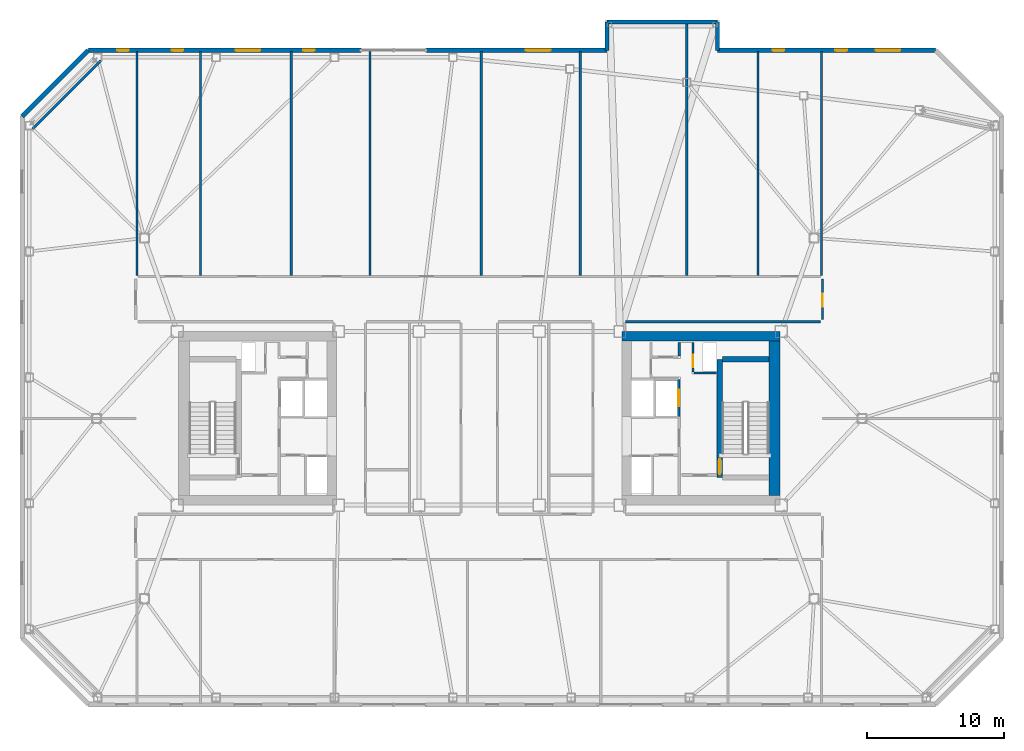
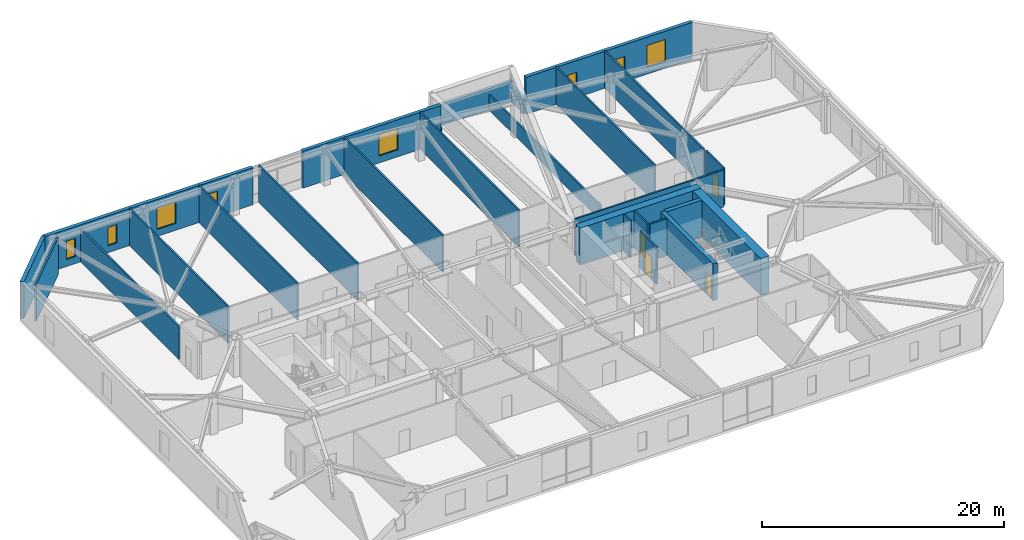
# One storey, part 13 of 18: 27 walls, 8 windows, 4 doors, 12 openings.
"""IFC4 building model written with IfcOpenShell, lengths in metres."""

from ifc_helpers import new_model, si_unit, direction, frame, frame_2d, origin, place, context, subcontext, project, spatial, rectangle, extrude, material, layer, layer_set, type_object, element, fill, save


model = new_model("IFC4")

# Units and contexts
model_context = context("Model", 3, precision=1e-05, world=origin(), true_north=direction((0.0, 1.0)))
body_context = subcontext(model_context, "Body", "Model", "MODEL_VIEW")
ifc_project = project(units=[si_unit("LENGTHUNIT", "METRE"), si_unit("AREAUNIT", "SQUARE_METRE"), si_unit("VOLUMEUNIT", "CUBIC_METRE"), si_unit("PLANEANGLEUNIT", "RADIAN"), si_unit("MASSUNIT", "GRAM", prefix="KILO")], contexts=[model_context])

# Site, building, storey
site_placement = place(None, origin())
site = spatial("IfcSite", under=ifc_project, at=site_placement, CompositionType="ELEMENT")
building_placement = place(site_placement, origin())
building = spatial("IfcBuilding", under=site, at=building_placement, Name="Tavrogorsk Clinical Tower", CompositionType="ELEMENT")
storey_placement = place(building_placement, frame((0.0, 0.0, 180.199951171875)))
storey = spatial("IfcBuildingStorey", under=building, at=storey_placement, Name="L41", CompositionType="ELEMENT", Elevation=180.199951171875)

# Walls
ifc_material_1 = material(Name="Lightweight concrete blockwork B15", Category="masonry")
ifc_layer_1 = layer(ifc_material_1, 0.159912109375)
ifc_layer_set_1 = layer_set([ifc_layer_1], Name="Lightweight concrete blockwork B15")
wall_type_1 = type_object("IfcWallType", Name="PartitionWall_160", PredefinedType="PARTITIONING", material=ifc_layer_set_1)
wall_1_placement = place(storey_placement, frame((14.639892578125, 4.56494140625, 0.0), z_axis=(0.0, 0.0, 1.0), x_axis=(0.0, 1.0, 0.0)))
element("IfcWall", 1, at=wall_1_placement, inside=storey, type_object=wall_type_1, Name="L41 Core East Housekeeping East Wall", PredefinedType="PARTITIONING", context=body_context, shape_type="SweptSolid", body=[
    extrude(rectangle(XDim=0.9951171875, YDim=0.159912109375, at=frame_2d((0.49755859375, 0.0))), origin(), (0.0, 0.0, 1.0), 3.739990234375),
])
wall_2_placement = place(storey_placement, frame((-27.6796875, 26.1796875, 0.0), z_axis=(0.0, 0.0, 1.0), x_axis=(-0.707106781187, -0.707106781187, 0.0)))
element("IfcWall", 2, at=wall_2_placement, inside=storey, type_object=wall_type_1, Name="L41 Corner Exoskeleton Brace Furring Wall 3", PredefinedType="PARTITIONING", context=body_context, shape_type="SweptSolid", body=[
    extrude(rectangle(XDim=7.071044921875, YDim=0.159912109375, at=frame_2d((3.53564453125, 0.0))), origin(), (0.0, 0.0, 1.0), 3.739990234375),
])

# Wall, opening, door
wall_3_placement = place(storey_placement, frame((25.1298828125, 10.215087890625, 0.0), z_axis=(0.0, 0.0, 1.0), x_axis=(0.0, -1.0, 0.0)))
wall_3 = element("IfcWall", 3, at=wall_3_placement, inside=storey, type_object=wall_type_1, Name="L41 Corridor Partition 08", PredefinedType="PARTITIONING", context=body_context, shape_type="SweptSolid", body=[
    extrude(rectangle(XDim=2.97998046875, YDim=0.159912109375, at=frame_2d((1.489990234375, 0.0))), origin(), (0.0, 0.0, 1.0), 3.739990234375),
])
opening_1_placement = place(wall_3_placement, frame((1.10009765625, 0.0, 0.0)))
opening_1 = element("IfcOpeningElement", 4, at=opening_1_placement, cuts=wall_3, Name="Opening ID-02", PredefinedType="OPENING", context=body_context, shape_type="SweptSolid", body=[
    extrude(rectangle(XDim=0.949951171875, YDim=2.199951171875, at=frame_2d((0.47509765625, 1.10009765625))), frame((0.0, 0.08984375, 0.0), z_axis=(0.0, -1.0, 0.0), x_axis=(1.0, 0.0, 0.0)), (0.0, 0.0, 1.0), 0.179931640625),
])
ifc_material_2 = material(Name="Laminated timber leaf on aluminium frame", Category="wood")
door_type_1 = type_object("IfcDoorType", Name="InteriorDoor_ID02_950", OperationType="NOTDEFINED", PredefinedType="DOOR", material=ifc_material_2)
door_1_placement = place(opening_1_placement, origin())
door_1 = element("IfcDoor", 5, at=door_1_placement, inside=storey, type_object=door_type_1, Name="L41 E Multidisciplinary Seminar Suite 2 Door", OperationType="SINGLE_SWING_RIGHT", OverallHeight=2.199951171875, OverallWidth=0.949951171875, PredefinedType="DOOR", context=body_context, shape_type="SweptSolid", body=[
    extrude(rectangle(XDim=0.949951171875, YDim=2.199951171875, at=frame_2d((0.47509765625, 1.10009765625))), frame((0.0, 0.02490234375, 0.0), z_axis=(0.0, -1.0, 0.0), x_axis=(1.0, 0.0, 0.0)), (0.0, 0.0, 1.0), 0.050048828125),
])
fill(opening_1, door_1)

# Walls
wall_4_placement = place(storey_placement, frame((24.965087890625, 7.070068359375, 0.0), z_axis=(0.0, 0.0, 1.0), x_axis=(-1.0, 0.0, 0.0)))
element("IfcWall", 6, at=wall_4_placement, inside=storey, type_object=wall_type_1, Name="L41 Corridor Partition 09", PredefinedType="PARTITIONING", context=body_context, shape_type="SweptSolid", body=[
    extrude(rectangle(XDim=14.25, YDim=0.159912109375, at=frame_2d((7.125, 0.0))), origin(), (0.0, 0.0, 1.0), 3.739990234375),
])
wall_5_placement = place(storey_placement, frame((-25.050048828125, 10.465087890625, 0.0), z_axis=(0.0, 0.0, 1.0), x_axis=(0.0, 1.0, 0.0)))
element("IfcWall", 7, at=wall_5_placement, inside=storey, type_object=wall_type_1, Name="L41 NW Wing Closure Partition", PredefinedType="PARTITIONING", context=body_context, shape_type="SweptSolid", body=[
    extrude(rectangle(XDim=16.39501953125, YDim=0.159912109375, at=frame_2d((8.197509765625, 0.0))), origin(), (0.0, 0.0, 1.0), 3.28515625),
])
for number, where, z_axis, x_axis, name in (
    (8, (25.050048828125, 10.465087890625, 0.0), (0.0, 0.0, 1.0), (0.0, 1.0, 0.0), "L41 NE Wing Closure Partition"),
    (9, (-20.39990234375, 10.465087890625, 0.0), (0.0, 0.0, 1.0), (0.0, 1.0, 0.0), "L41 North Room Partition 1"),
    (10, (-8.0, 10.465087890625, 0.0), (0.0, 0.0, 1.0), (0.0, 1.0, 0.0), "L41 North Room Partition 2"),
    (11, (7.39990234375, 10.465087890625, 0.0), (0.0, 0.0, 1.0), (0.0, 1.0, 0.0), "L41 North Room Partition 3"),
    (12, (20.39990234375, 10.465087890625, 0.0), (0.0, 0.0, 1.0), (0.0, 1.0, 0.0), "L41 North Room Partition 4"),
    (13, (-13.75, 10.465087890625, 0.0), (0.0, 0.0, 1.0), (0.0, 1.0, 0.0), "L41 North Sub-Partition 2"),
    (14, (0.14990234375, 10.465087890625, 0.0), (0.0, 0.0, 1.0), (0.0, 1.0, 0.0), "L41 North Sub-Partition 3"),
):
    element("IfcWall", number, at=place(storey_placement, frame(where, z_axis=z_axis, x_axis=x_axis)), inside=storey, type_object=wall_type_1, Name=name, PredefinedType="PARTITIONING", context=body_context, shape_type="SweptSolid", body=[
        extrude(rectangle(XDim=16.39501953125, YDim=0.159912109375, at=frame_2d((8.197509765625, 0.0))), origin(), (0.0, 0.0, 1.0), 3.739990234375),
    ])
wall_6_placement = place(storey_placement, frame((15.18994140625, 10.465087890625, 0.0), z_axis=(0.0, 0.0, 1.0), x_axis=(0.0, 1.0, 0.0)))
element("IfcWall", 15, at=wall_6_placement, inside=storey, type_object=wall_type_1, Name="L41 North Sub-Partition 4", PredefinedType="PARTITIONING", context=body_context, shape_type="SweptSolid", body=[
    extrude(rectangle(XDim=18.44482421875, YDim=0.159912109375, at=frame_2d((9.222412109375, 0.0))), origin(), (0.0, 0.0, 1.0), 1.53515625),
])

# Wall, openings, windows
ifc_material_3 = material(Name="Precast concrete B45 with limestone cladding", Category="masonry")
ifc_layer_2 = layer(ifc_material_3, 0.340087890625)
ifc_layer_set_2 = layer_set([ifc_layer_2], Name="Precast concrete B45 with limestone cladding")
wall_type_2 = type_object("IfcWallType", Name="PrecastLimestoneWall_340", PredefinedType="STANDARD", material=ifc_layer_set_2)
wall_7_placement = place(storey_placement, frame((33.39990234375, 26.929931640625, 0.0), z_axis=(0.0, 0.0, 1.0), x_axis=(-1.0, 0.0, 0.0)))
wall_7 = element("IfcWall", 16, at=wall_7_placement, inside=storey, type_object=wall_type_2, Name="L41 N Limestone Facade Wall 1", PredefinedType="STANDARD", context=body_context, shape_type="SweptSolid", body=[
    extrude(rectangle(XDim=15.949951171875, YDim=0.340087890625, at=frame_2d((7.97509765625, 0.0))), origin(), (0.0, 0.0, 1.0), 3.739990234375),
])
opening_2_placement = place(wall_7_placement, frame((11.0712890625, 0.0, 0.699951171875)))
opening_2 = element("IfcOpeningElement", 17, at=opening_2_placement, cuts=wall_7, Name="Opening WN-06", PredefinedType="OPENING", context=body_context, shape_type="SweptSolid", body=[
    extrude(rectangle(XDim=0.85009765625, YDim=1.85009765625, at=frame_2d((0.425048828125, 0.925048828125))), frame((0.0, 0.179931640625, 0.0), z_axis=(0.0, -1.0, 0.0), x_axis=(1.0, 0.0, 0.0)), (0.0, 0.0, 1.0), 0.360107421875),
])
opening_3_placement = place(wall_7_placement, frame((6.479736328125, 0.0, 0.699951171875)))
opening_3 = element("IfcOpeningElement", 18, at=opening_3_placement, cuts=wall_7, Name="Opening WN-06", PredefinedType="OPENING", context=body_context, shape_type="SweptSolid", body=[
    extrude(rectangle(XDim=0.85009765625, YDim=1.85009765625, at=frame_2d((0.425048828125, 0.925048828125))), frame((0.0, 0.179931640625, 0.0), z_axis=(0.0, -1.0, 0.0), x_axis=(1.0, 0.0, 0.0)), (0.0, 0.0, 1.0), 0.360107421875),
])
opening_4_placement = place(wall_7_placement, frame((2.591064453125, 0.0, 0.699951171875)))
opening_4 = element("IfcOpeningElement", 19, at=opening_4_placement, cuts=wall_7, Name="Opening WN-04", PredefinedType="OPENING", context=body_context, shape_type="SweptSolid", body=[
    extrude(rectangle(XDim=1.800048828125, YDim=2.199951171875, at=frame_2d((0.89990234375, 1.10009765625))), frame((0.0, 0.179931640625, 0.0), z_axis=(0.0, -1.0, 0.0), x_axis=(1.0, 0.0, 0.0)), (0.0, 0.0, 1.0), 0.360107421875),
])
ifc_material_4 = material(Name="Thermally broken aluminium frame and triple IGU", Category="aluminium")
window_type_1 = type_object("IfcWindowType", Name="IsolationWin_1800x2200", PartitioningType="SINGLE_PANEL", PredefinedType="WINDOW", material=ifc_material_4)
window_1_placement = place(opening_4_placement, origin())
window_1 = element("IfcWindow", 20, at=window_1_placement, inside=storey, type_object=window_type_1, Name="L41 N Chicago Window 10", OverallHeight=2.199951171875, OverallWidth=1.800048828125, PartitioningType="SINGLE_PANEL", PredefinedType="WINDOW", context=body_context, shape_type="SweptSolid", body=[
    extrude(rectangle(XDim=1.800048828125, YDim=2.199951171875, at=frame_2d((0.89990234375, 1.10009765625))), frame((0.0, 0.030029296875, 0.0), z_axis=(0.0, -1.0, 0.0), x_axis=(1.0, 0.0, 0.0)), (0.0, 0.0, 1.0), 0.06005859375),
])
fill(opening_4, window_1)
ifc_material_5 = material(Name="Thermally broken aluminium frame and triple IGU", Category="aluminium")
window_type_2 = type_object("IfcWindowType", Name="MullionSubWin_850x1850", PartitioningType="SINGLE_PANEL", PredefinedType="WINDOW", material=ifc_material_5)
window_2_placement = place(opening_2_placement, origin())
window_2 = element("IfcWindow", 21, at=window_2_placement, inside=storey, type_object=window_type_2, Name="L41 N Mullion Split Window 08A", OverallHeight=1.85009765625, OverallWidth=0.85009765625, PartitioningType="SINGLE_PANEL", PredefinedType="WINDOW", context=body_context, shape_type="SweptSolid", body=[
    extrude(rectangle(XDim=0.85009765625, YDim=1.85009765625, at=frame_2d((0.425048828125, 0.925048828125))), frame((0.0, 0.030029296875, 0.0), z_axis=(0.0, -1.0, 0.0), x_axis=(1.0, 0.0, 0.0)), (0.0, 0.0, 1.0), 0.06005859375),
])
fill(opening_2, window_2)
window_3_placement = place(opening_3_placement, origin())
window_3 = element("IfcWindow", 22, at=window_3_placement, inside=storey, type_object=window_type_2, Name="L41 N Mullion Split Window 09A", OverallHeight=1.85009765625, OverallWidth=0.85009765625, PartitioningType="SINGLE_PANEL", PredefinedType="WINDOW", context=body_context, shape_type="SweptSolid", body=[
    extrude(rectangle(XDim=0.85009765625, YDim=1.85009765625, at=frame_2d((0.425048828125, 0.925048828125))), frame((0.0, 0.030029296875, 0.0), z_axis=(0.0, -1.0, 0.0), x_axis=(1.0, 0.0, 0.0)), (0.0, 0.0, 1.0), 0.06005859375),
])
fill(opening_3, window_3)

# Wall, opening, window
wall_8_placement = place(storey_placement, frame((9.35009765625, 26.929931640625, 0.0), z_axis=(0.0, 0.0, 1.0), x_axis=(-1.0, 0.0, 0.0)))
wall_8 = element("IfcWall", 23, at=wall_8_placement, inside=storey, type_object=wall_type_2, Name="L41 N Limestone Facade Wall 2", PredefinedType="STANDARD", context=body_context, shape_type="SweptSolid", body=[
    extrude(rectangle(XDim=13.212890625, YDim=0.340087890625, at=frame_2d((6.6064453125, 0.0))), origin(), (0.0, 0.0, 1.0), 3.739990234375),
])
opening_5_placement = place(wall_8_placement, frame((4.12841796875, 0.0, 0.699951171875)))
opening_5 = element("IfcOpeningElement", 24, at=opening_5_placement, cuts=wall_8, Name="Opening WN-04", PredefinedType="OPENING", context=body_context, shape_type="SweptSolid", body=[
    extrude(rectangle(XDim=1.800048828125, YDim=2.199951171875, at=frame_2d((0.89990234375, 1.10009765625))), frame((0.0, 0.179931640625, 0.0), z_axis=(0.0, -1.0, 0.0), x_axis=(1.0, 0.0, 0.0)), (0.0, 0.0, 1.0), 0.360107421875),
])
window_4_placement = place(opening_5_placement, origin())
window_4 = element("IfcWindow", 25, at=window_4_placement, inside=storey, type_object=window_type_1, Name="L41 N Chicago Window 06", OverallHeight=2.199951171875, OverallWidth=1.800048828125, PartitioningType="SINGLE_PANEL", PredefinedType="WINDOW", context=body_context, shape_type="SweptSolid", body=[
    extrude(rectangle(XDim=1.800048828125, YDim=2.199951171875, at=frame_2d((0.89990234375, 1.10009765625))), frame((0.0, 0.030029296875, 0.0), z_axis=(0.0, -1.0, 0.0), x_axis=(1.0, 0.0, 0.0)), (0.0, 0.0, 1.0), 0.06005859375),
])
fill(opening_5, window_4)

# Wall, openings, windows
wall_9_placement = place(storey_placement, frame((-8.662841796875, 26.929931640625, 0.0), z_axis=(0.0, 0.0, 1.0), x_axis=(-1.0, 0.0, 0.0)))
wall_9 = element("IfcWall", 26, at=wall_9_placement, inside=storey, type_object=wall_type_2, Name="L41 N Limestone Facade Wall 3", PredefinedType="STANDARD", context=body_context, shape_type="SweptSolid", body=[
    extrude(rectangle(XDim=19.937255859375, YDim=0.340087890625, at=frame_2d((9.96875, 0.0))), origin(), (0.0, 0.0, 1.0), 3.739990234375),
])
opening_6_placement = place(wall_9_placement, frame((16.96826171875, 0.0, 0.699951171875)))
opening_6 = element("IfcOpeningElement", 27, at=opening_6_placement, cuts=wall_9, Name="Opening WN-06", PredefinedType="OPENING", context=body_context, shape_type="SweptSolid", body=[
    extrude(rectangle(XDim=0.85009765625, YDim=1.85009765625, at=frame_2d((0.425048828125, 0.925048828125))), frame((0.0, 0.179931640625, 0.0), z_axis=(0.0, -1.0, 0.0), x_axis=(1.0, 0.0, 0.0)), (0.0, 0.0, 1.0), 0.360107421875),
])
opening_7_placement = place(wall_9_placement, frame((12.9833984375, 0.0, 0.699951171875)))
opening_7 = element("IfcOpeningElement", 28, at=opening_7_placement, cuts=wall_9, Name="Opening WN-06", PredefinedType="OPENING", context=body_context, shape_type="SweptSolid", body=[
    extrude(rectangle(XDim=0.85009765625, YDim=1.85009765625, at=frame_2d((0.425048828125, 0.925048828125))), frame((0.0, 0.179931640625, 0.0), z_axis=(0.0, -1.0, 0.0), x_axis=(1.0, 0.0, 0.0)), (0.0, 0.0, 1.0), 0.360107421875),
])
opening_8_placement = place(wall_9_placement, frame((7.355224609375, 0.0, 0.699951171875)))
opening_8 = element("IfcOpeningElement", 29, at=opening_8_placement, cuts=wall_9, Name="Opening WN-04", PredefinedType="OPENING", context=body_context, shape_type="SweptSolid", body=[
    extrude(rectangle(XDim=1.800048828125, YDim=2.199951171875, at=frame_2d((0.89990234375, 1.10009765625))), frame((0.0, 0.179931640625, 0.0), z_axis=(0.0, -1.0, 0.0), x_axis=(1.0, 0.0, 0.0)), (0.0, 0.0, 1.0), 0.360107421875),
])
opening_9_placement = place(wall_9_placement, frame((3.37060546875, 0.0, 0.699951171875)))
opening_9 = element("IfcOpeningElement", 30, at=opening_9_placement, cuts=wall_9, Name="Opening WN-06", PredefinedType="OPENING", context=body_context, shape_type="SweptSolid", body=[
    extrude(rectangle(XDim=0.85009765625, YDim=1.85009765625, at=frame_2d((0.425048828125, 0.925048828125))), frame((0.0, 0.179931640625, 0.0), z_axis=(0.0, -1.0, 0.0), x_axis=(1.0, 0.0, 0.0)), (0.0, 0.0, 1.0), 0.360107421875),
])
window_5_placement = place(opening_8_placement, origin())
window_5 = element("IfcWindow", 31, at=window_5_placement, inside=storey, type_object=window_type_1, Name="L41 N Chicago Window 03", OverallHeight=2.199951171875, OverallWidth=1.800048828125, PartitioningType="SINGLE_PANEL", PredefinedType="WINDOW", context=body_context, shape_type="SweptSolid", body=[
    extrude(rectangle(XDim=1.800048828125, YDim=2.199951171875, at=frame_2d((0.89990234375, 1.10009765625))), frame((0.0, 0.030029296875, 0.0), z_axis=(0.0, -1.0, 0.0), x_axis=(1.0, 0.0, 0.0)), (0.0, 0.0, 1.0), 0.06005859375),
])
fill(opening_8, window_5)
window_6_placement = place(opening_6_placement, origin())
window_6 = element("IfcWindow", 32, at=window_6_placement, inside=storey, type_object=window_type_2, Name="L41 N Mullion Split Window 01B", OverallHeight=1.85009765625, OverallWidth=0.85009765625, PartitioningType="SINGLE_PANEL", PredefinedType="WINDOW", context=body_context, shape_type="SweptSolid", body=[
    extrude(rectangle(XDim=0.85009765625, YDim=1.85009765625, at=frame_2d((0.425048828125, 0.925048828125))), frame((0.0, 0.030029296875, 0.0), z_axis=(0.0, -1.0, 0.0), x_axis=(1.0, 0.0, 0.0)), (0.0, 0.0, 1.0), 0.06005859375),
])
fill(opening_6, window_6)
window_7_placement = place(opening_7_placement, origin())
window_7 = element("IfcWindow", 33, at=window_7_placement, inside=storey, type_object=window_type_2, Name="L41 N Mullion Split Window 02B", OverallHeight=1.85009765625, OverallWidth=0.85009765625, PartitioningType="SINGLE_PANEL", PredefinedType="WINDOW", context=body_context, shape_type="SweptSolid", body=[
    extrude(rectangle(XDim=0.85009765625, YDim=1.85009765625, at=frame_2d((0.425048828125, 0.925048828125))), frame((0.0, 0.030029296875, 0.0), z_axis=(0.0, -1.0, 0.0), x_axis=(1.0, 0.0, 0.0)), (0.0, 0.0, 1.0), 0.06005859375),
])
fill(opening_7, window_7)
window_8_placement = place(opening_9_placement, origin())
window_8 = element("IfcWindow", 34, at=window_8_placement, inside=storey, type_object=window_type_2, Name="L41 N Mullion Split Window 04A", OverallHeight=1.85009765625, OverallWidth=0.85009765625, PartitioningType="SINGLE_PANEL", PredefinedType="WINDOW", context=body_context, shape_type="SweptSolid", body=[
    extrude(rectangle(XDim=0.85009765625, YDim=1.85009765625, at=frame_2d((0.425048828125, 0.925048828125))), frame((0.0, 0.030029296875, 0.0), z_axis=(0.0, -1.0, 0.0), x_axis=(1.0, 0.0, 0.0)), (0.0, 0.0, 1.0), 0.06005859375),
])
fill(opening_9, window_8)

# Walls
wall_10_placement = place(storey_placement, frame((-28.60009765625, 26.929931640625, 0.0), z_axis=(0.0, 0.0, 1.0), x_axis=(-0.707106781187, -0.707106781187, 0.0)))
element("IfcWall", 35, at=wall_10_placement, inside=storey, type_object=wall_type_2, Name="L41 Chamfered Corner Wall 3", PredefinedType="STANDARD", context=body_context, shape_type="SweptSolid", body=[
    extrude(rectangle(XDim=6.830322265625, YDim=0.340087890625, at=frame_2d((3.4150390625, 0.0))), origin(), (0.0, 0.0, 1.0), 3.739990234375),
])
wall_11_placement = place(storey_placement, frame((9.35009765625, 29.0, 0.0), z_axis=(0.0, 0.0, 1.0), x_axis=(1.0, 0.0, 0.0)))
element("IfcWall", 36, at=wall_11_placement, inside=storey, type_object=wall_type_2, Name="L41 Day-Room Limestone Front DRB-06", PredefinedType="STANDARD", context=body_context, shape_type="SweptSolid", body=[
    extrude(rectangle(XDim=8.099853515625, YDim=0.300048828125, at=frame_2d((4.0498046875, 0.0))), origin(), (0.0, 0.0, 1.0), 2.135009765625),
])

# Wall, opening, door
ifc_material_6 = material(Name="Lightweight concrete blockwork B25", Category="masonry")
ifc_layer_3 = layer(ifc_material_6, 0.159912109375)
ifc_layer_set_3 = layer_set([ifc_layer_3], Name="Lightweight concrete blockwork B25")
wall_type_3 = type_object("IfcWallType", Name="ShaftWall_160", PredefinedType="PARTITIONING", material=ifc_layer_set_3)
wall_12_placement = place(storey_placement, frame((14.60009765625, 0.1201171875, 0.0), z_axis=(0.0, 0.0, 1.0), x_axis=(0.0, 1.0, 0.0)))
wall_12 = element("IfcWall", 37, at=wall_12_placement, inside=storey, type_object=wall_type_3, Name="L41 FFL-E Firefighting Lift Front Wall", PredefinedType="PARTITIONING", context=body_context, shape_type="SweptSolid", body=[
    extrude(rectangle(XDim=2.739990234375, YDim=0.159912109375, at=frame_2d((1.3701171875, 0.0))), origin(), (0.0, 0.0, 1.0), 3.739990234375),
])
opening_10_placement = place(wall_12_placement, frame((0.77001953125, 0.0, 0.0)))
opening_10 = element("IfcOpeningElement", 38, at=opening_10_placement, cuts=wall_12, Name="Opening LD", PredefinedType="OPENING", context=body_context, shape_type="SweptSolid", body=[
    extrude(rectangle(XDim=1.199951171875, YDim=2.199951171875, at=frame_2d((0.60009765625, 1.10009765625))), frame((0.0, 0.08984375, 0.0), z_axis=(0.0, -1.0, 0.0), x_axis=(1.0, 0.0, 0.0)), (0.0, 0.0, 1.0), 0.179931640625),
])
ifc_material_7 = material(Name="Brushed stainless steel AISI 304 sliding doors", Category="steel")
door_type_2 = type_object("IfcDoorType", Name="LiftLandingDoor_LD_1200", OperationType="SLIDING_TO_LEFT", PredefinedType="DOOR", material=ifc_material_7)
door_2_placement = place(opening_10_placement, origin())
door_2 = element("IfcDoor", 39, at=door_2_placement, inside=storey, type_object=door_type_2, Name="L41 FFL-E Sliding Lift Landing Door", OperationType="SLIDING_TO_LEFT", OverallHeight=2.199951171875, OverallWidth=1.199951171875, PredefinedType="DOOR", context=body_context, shape_type="SweptSolid", body=[
    extrude(rectangle(XDim=1.199951171875, YDim=2.199951171875, at=frame_2d((0.60009765625, 1.10009765625))), frame((0.0, 0.02490234375, 0.0), z_axis=(0.0, -1.0, 0.0), x_axis=(1.0, 0.0, 0.0)), (0.0, 0.0, 1.0), 0.050048828125),
])
fill(opening_10, door_2)

wall_13_placement = place(storey_placement, frame((15.639892578125, 3.405029296875, 0.0), z_axis=(0.0, 0.0, 1.0), x_axis=(0.0, 1.0, 0.0)))
wall_13 = element("IfcWall", 40, at=wall_13_placement, inside=storey, type_object=wall_type_3, Name="L41 Core East Riser West Wall", PredefinedType="PARTITIONING", context=body_context, shape_type="SweptSolid", body=[
    extrude(rectangle(XDim=2.155029296875, YDim=0.159912109375, at=frame_2d((1.07763671875, 0.0))), origin(), (0.0, 0.0, 1.0), 3.739990234375),
])
opening_11_placement = place(wall_13_placement, frame((0.35009765625, 0.0, 0.0)))
opening_11 = element("IfcOpeningElement", 41, at=opening_11_placement, cuts=wall_13, Name="Opening FD-02", PredefinedType="OPENING", context=body_context, shape_type="SweptSolid", body=[
    extrude(rectangle(XDim=0.89990234375, YDim=2.199951171875, at=frame_2d((0.449951171875, 1.10009765625))), frame((0.0, 0.08984375, 0.0), z_axis=(0.0, -1.0, 0.0), x_axis=(1.0, 0.0, 0.0)), (0.0, 0.0, 1.0), 0.179931640625),
])
ifc_material_8 = material(Name="Galvanised steel fire-rated door assembly", Category="steel")
door_type_3 = type_object("IfcDoorType", Name="FireDoor_FD02_900", OperationType="NOTDEFINED", PredefinedType="DOOR", material=ifc_material_8)
door_3_placement = place(opening_11_placement, origin())
door_3 = element("IfcDoor", 42, at=door_3_placement, inside=storey, type_object=door_type_3, Name="L41 Core East Electrical Riser Access Door", OperationType="SINGLE_SWING_LEFT", OverallHeight=2.199951171875, OverallWidth=0.89990234375, PredefinedType="DOOR", context=body_context, shape_type="SweptSolid", body=[
    extrude(rectangle(XDim=0.89990234375, YDim=2.199951171875, at=frame_2d((0.449951171875, 1.10009765625))), frame((0.0, 0.02490234375, 0.0), z_axis=(0.0, -1.0, 0.0), x_axis=(1.0, 0.0, 0.0)), (0.0, 0.0, 1.0), 0.050048828125),
])
fill(opening_11, door_3)

# Wall
wall_14_placement = place(storey_placement, frame((15.72509765625, 3.320068359375, 0.0), z_axis=(0.0, 0.0, 1.0), x_axis=(1.0, 0.0, 0.0)))
element("IfcWall", 43, at=wall_14_placement, inside=storey, type_object=wall_type_3, Name="L41 Core East Riser South Wall", PredefinedType="PARTITIONING", context=body_context, shape_type="SweptSolid", body=[
    extrude(rectangle(XDim=1.65478515625, YDim=0.159912109375, at=frame_2d((0.827392578125, 0.0))), origin(), (0.0, 0.0, 1.0), 3.739990234375),
])

# Wall, opening, door
ifc_material_9 = material(Name="Concrete B80", Category="concrete")
ifc_layer_4 = layer(ifc_material_9, 0.39990234375)
ifc_layer_set_4 = layer_set([ifc_layer_4], Name="Concrete B80")
wall_type_4 = type_object("IfcWallType", Name="ShearWall_400", PredefinedType="SHEAR", material=ifc_layer_set_4)
wall_15_placement = place(storey_placement, frame((17.60009765625, -4.324951171875, 0.0), z_axis=(0.0, 0.0, 1.0), x_axis=(0.0, 1.0, 0.0)))
wall_15 = element("IfcWall", 44, at=wall_15_placement, inside=storey, type_object=wall_type_4, Name="L41 Core East Stair Shaft Inner Shear Wall", PredefinedType="SHEAR", context=body_context, shape_type="SweptSolid", body=[
    extrude(rectangle(XDim=8.64990234375, YDim=0.39990234375, at=frame_2d((4.324951171875, 0.0))), origin(), (0.0, 0.0, 1.0), 3.739990234375),
])
opening_12_placement = place(wall_15_placement, frame((0.25, 0.0, 0.0)))
opening_12 = element("IfcOpeningElement", 45, at=opening_12_placement, cuts=wall_15, Name="Opening SD-01", PredefinedType="OPENING", context=body_context, shape_type="SweptSolid", body=[
    extrude(rectangle(XDim=1.10009765625, YDim=2.199951171875, at=frame_2d((0.550048828125, 1.10009765625))), frame((0.0, 0.2099609375, 0.0), z_axis=(0.0, -1.0, 0.0), x_axis=(1.0, 0.0, 0.0)), (0.0, 0.0, 1.0), 0.419921875),
])
ifc_material_10 = material(Name="Galvanised steel smoke-tight fire door assembly", Category="steel")
door_type_4 = type_object("IfcDoorType", Name="StairFireDoor_SD01_1100", OperationType="NOTDEFINED", PredefinedType="DOOR", material=ifc_material_10)
door_4_placement = place(opening_12_placement, origin())
door_4 = element("IfcDoor", 46, at=door_4_placement, inside=storey, type_object=door_type_4, Name="L41 ST-E Exit Stair Door", OperationType="SINGLE_SWING_LEFT", OverallHeight=2.199951171875, OverallWidth=1.10009765625, PredefinedType="DOOR", context=body_context, shape_type="SweptSolid", body=[
    extrude(rectangle(XDim=1.10009765625, YDim=2.199951171875, at=frame_2d((0.550048828125, 1.10009765625))), frame((0.0, 0.02490234375, 0.0), z_axis=(0.0, -1.0, 0.0), x_axis=(1.0, 0.0, 0.0)), (0.0, 0.0, 1.0), 0.050048828125),
])
fill(opening_12, door_4)

# Walls
wall_16_placement = place(storey_placement, frame((17.800048828125, 4.324951171875, 0.0), z_axis=(0.0, 0.0, 1.0), x_axis=(1.0, 0.0, 0.0)))
element("IfcWall", 47, at=wall_16_placement, inside=storey, type_object=wall_type_4, Name="L41 Core East Stair Shaft North Shear Wall", PredefinedType="SHEAR", context=body_context, shape_type="SweptSolid", body=[
    extrude(rectangle(XDim=3.39990234375, YDim=0.39990234375, at=frame_2d((1.699951171875, 0.0))), origin(), (0.0, 0.0, 1.0), 3.739990234375),
])
ifc_material_11 = material(Name="Concrete B80", Category="concrete")
ifc_layer_5 = layer(ifc_material_11, 0.699951171875)
ifc_layer_set_5 = layer_set([ifc_layer_5], Name="Concrete B80")
wall_type_5 = type_object("IfcWallType", Name="ShearWall_700", PredefinedType="SHEAR", material=ifc_layer_set_5)
wall_17_placement = place(storey_placement, frame((10.449951171875, 6.0, 0.0), z_axis=(0.0, 0.0, 1.0), x_axis=(1.0, 0.0, 0.0)))
element("IfcWall", 48, at=wall_17_placement, inside=storey, type_object=wall_type_5, Name="L41 Core East North Shear Wall", PredefinedType="SHEAR", context=body_context, shape_type="SweptSolid", body=[
    extrude(rectangle(XDim=11.550048828125, YDim=0.699951171875, at=frame_2d((5.77490234375, 0.0))), origin(), (0.0, 0.0, 1.0), 3.739990234375),
])
ifc_material_12 = material(Name="Concrete B80", Category="concrete")
ifc_layer_6 = layer(ifc_material_12, 0.800048828125)
ifc_layer_set_6 = layer_set([ifc_layer_6], Name="Concrete B80")
wall_type_6 = type_object("IfcWallType", Name="ShearWall_800", PredefinedType="SHEAR", material=ifc_layer_set_6)
wall_18_placement = place(storey_placement, frame((21.60009765625, -5.64990234375, 0.0), z_axis=(0.0, 0.0, 1.0), x_axis=(0.0, 1.0, 0.0)))
element("IfcWall", 49, at=wall_18_placement, inside=storey, type_object=wall_type_6, Name="L41 Core East End Shear Wall", PredefinedType="SHEAR", context=body_context, shape_type="SweptSolid", body=[
    extrude(rectangle(XDim=11.2998046875, YDim=0.800048828125, at=frame_2d((5.64990234375, 0.0))), origin(), (0.0, 0.0, 1.0), 3.739990234375),
])
ifc_material_13 = material(Name="Precast concrete B45 with mineral wool", Category="concrete")
ifc_layer_7 = layer(ifc_material_13, 0.300048828125)
ifc_layer_set_7 = layer_set([ifc_layer_7], Name="Precast concrete B45 with mineral wool")
wall_type_7 = type_object("IfcWallType", Name="SpandrelBackWall_300", PredefinedType="STANDARD", material=ifc_layer_set_7)
for number, where, z_axis, x_axis, name in (
    (50, (9.35009765625, 26.929931640625, 0.0), (0.0, 0.0, 1.0), (0.0, 1.0, 0.0), "L41 Day-Room Cheek Wall DRB-06-L"),
    (51, (17.449951171875, 26.929931640625, 0.0), (0.0, 0.0, 1.0), (0.0, 1.0, 0.0), "L41 Day-Room Cheek Wall DRB-06-R"),
):
    element("IfcWall", number, at=place(storey_placement, frame(where, z_axis=z_axis, x_axis=x_axis)), inside=storey, type_object=wall_type_7, Name=name, PredefinedType="STANDARD", context=body_context, shape_type="SweptSolid", body=[
        extrude(rectangle(XDim=2.070068359375, YDim=0.300048828125, at=frame_2d((1.03515625, 0.0))), origin(), (0.0, 0.0, 1.0), 1.53515625),
    ])

save(model, "model.ifc")
